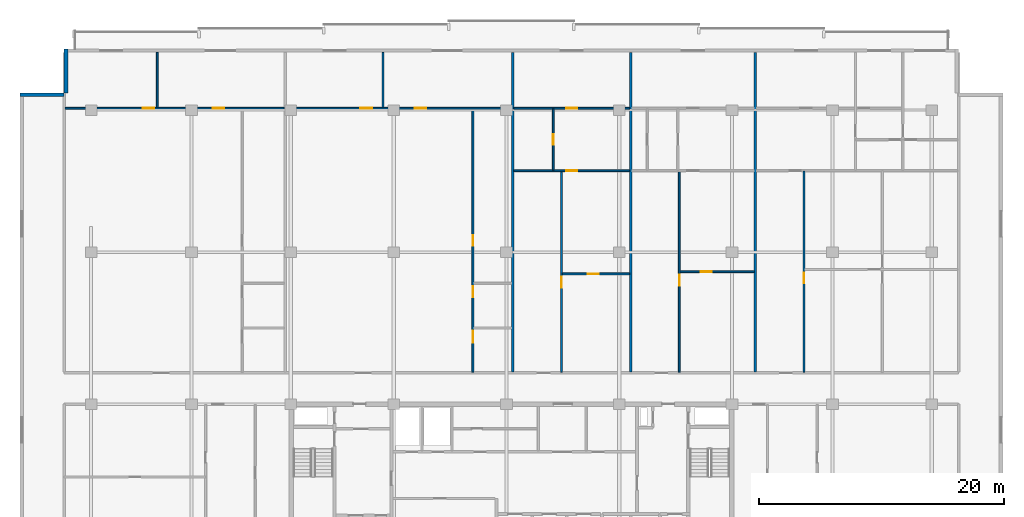
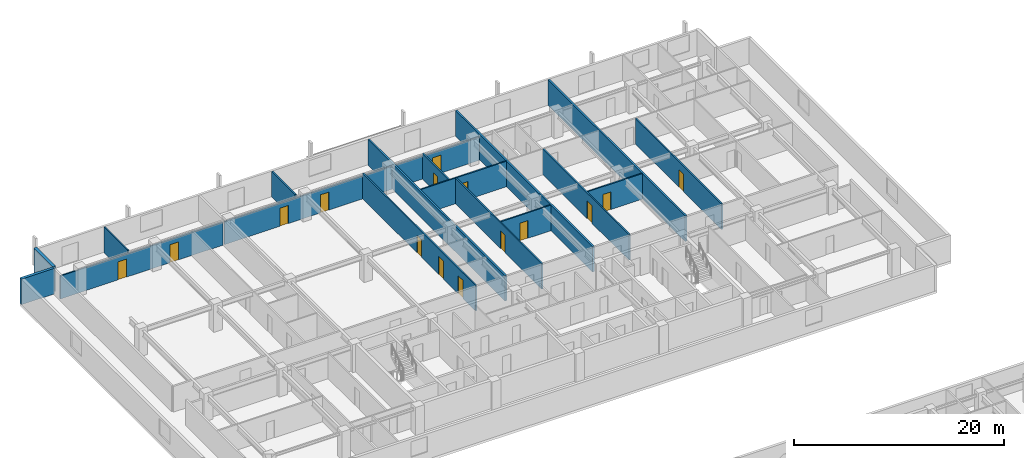
# One storey, part 13 of 21: 18 walls, 15 doors, 15 openings.
"""IFC4 building model written with IfcOpenShell, lengths in metres."""

from ifc_helpers import new_model, si_unit, direction, frame, frame_2d, origin, place, context, subcontext, project, spatial, rectangle, extrude, material, layer, layer_set, type_object, element, fill, save


model = new_model("IFC4")

# Units and contexts
model_context = context("Model", 3, precision=1e-05, world=origin(), true_north=direction((0.0, 1.0)))
body_context = subcontext(model_context, "Body", "Model", "MODEL_VIEW")
ifc_project = project(units=[si_unit("LENGTHUNIT", "METRE"), si_unit("AREAUNIT", "SQUARE_METRE"), si_unit("VOLUMEUNIT", "CUBIC_METRE"), si_unit("PLANEANGLEUNIT", "RADIAN"), si_unit("MASSUNIT", "GRAM", prefix="KILO")], contexts=[model_context])

# Site, building, storey
site_placement = place(None, origin())
site = spatial("IfcSite", under=ifc_project, at=site_placement, CompositionType="ELEMENT")
building_placement = place(site_placement, origin())
building = spatial("IfcBuilding", under=site, at=building_placement, Name="Korimba Cascade Residences", CompositionType="ELEMENT")
storey_placement = place(building_placement, frame((0.0, 0.0, 103.550048828125)))
storey = spatial("IfcBuildingStorey", under=building, at=storey_placement, Name="L29", CompositionType="ELEMENT", Elevation=103.550048828125)

# Walls
ifc_material_1 = material(Name="Precast concrete C40/50", Category="concrete")
ifc_layer_1 = layer(ifc_material_1, 0.300048828125)
ifc_layer_set_1 = layer_set([ifc_layer_1], Name="Precast concrete C40/50")
wall_type_1 = type_object("IfcWallType", Name="EW-STONE-300", PredefinedType="STANDARD", material=ifc_layer_set_1)
wall_1_placement = place(storey_placement, frame((57.75, 96.199951171875, 0.0), z_axis=(0.0, 0.0, 1.0), x_axis=(0.0, -1.0, 0.0)))
element("IfcWall", 1, at=wall_1_placement, inside=storey, type_object=wall_type_1, Name="L29 T1 Perimeter Stone Wall E07", PredefinedType="STANDARD", context=body_context, shape_type="SweptSolid", body=[
    extrude(rectangle(XDim=3.599853515625, YDim=0.300048828125, at=frame_2d((1.7998046875, 0.0))), origin(), (0.0, 0.0, 1.0), 2.969970703125),
])
wall_2_placement = place(storey_placement, frame((57.60009765625, 92.449951171875, 0.0), z_axis=(0.0, 0.0, 1.0), x_axis=(-1.0, 0.0, 0.0)))
element("IfcWall", 2, at=wall_2_placement, inside=storey, type_object=wall_type_1, Name="L29 T1 Perimeter Stone Wall E08", PredefinedType="STANDARD", context=body_context, shape_type="SweptSolid", body=[
    extrude(rectangle(XDim=3.60009765625, YDim=0.300048828125, at=frame_2d((1.800048828125, 0.0))), origin(), (0.0, 0.0, 1.0), 2.969970703125),
])
ifc_layer_2 = layer(ifc_material_1, 0.199951171875)
ifc_layer_set_2 = layer_set([ifc_layer_2], Name="Precast concrete C40/50")
wall_type_2 = type_object("IfcWallType", Name="WAL-IT-200", PredefinedType="PARTITIONING", material=ifc_layer_set_2)
for number, where, z_axis, x_axis, name in (
    (3, (94.22509765625, 69.830078125, 0.0), (0.0, 0.0, 1.0), (0.0, 1.0, 0.0), "L29 Partition Wall WAL-L29-T1-DEM-2"),
    (4, (103.833984375, 69.830078125, 0.0), (0.0, 0.0, 1.0), (0.0, 1.0, 0.0), "L29 Partition Wall WAL-L29-T1-DEM-3"),
    (5, (114.00390625, 69.830078125, 0.0), (0.0, 0.0, 1.0), (0.0, 1.0, 0.0), "L29 Partition Wall WAL-L29-T1-DEM-4"),
):
    element("IfcWall", number, at=place(storey_placement, frame(where, z_axis=z_axis, x_axis=x_axis)), inside=storey, type_object=wall_type_2, Name=name, PredefinedType="PARTITIONING", context=body_context, shape_type="SweptSolid", body=[
        extrude(rectangle(XDim=26.06982421875, YDim=0.199951171875, at=frame_2d((13.034912109375, 0.0))), origin(), (0.0, 0.0, 1.0), 2.969970703125),
    ])
ifc_material_2 = material(Name="Insulated Acoustic Stud Partition", Category="gypsum")
ifc_layer_3 = layer(ifc_material_2, 0.14990234375)
ifc_layer_set_3 = layer_set([ifc_layer_3], Name="Insulated Acoustic Stud Partition")
wall_type_3 = type_object("IfcWallType", Name="WAL-PART-150", PredefinedType="PARTITIONING", material=ifc_layer_set_3)
wall_3_placement = place(storey_placement, frame((65.196044921875, 91.429931640625, 0.0), z_axis=(0.0, 0.0, 1.0), x_axis=(0.0, 1.0, 0.0)))
element("IfcWall", 6, at=wall_3_placement, inside=storey, type_object=wall_type_3, Name="L29 Partition Wall WAL-L29-T1-U01-OUTV", PredefinedType="PARTITIONING", context=body_context, shape_type="SweptSolid", body=[
    extrude(rectangle(XDim=4.469970703125, YDim=0.14990234375, at=frame_2d((2.23486328125, 0.0))), origin(), (0.0, 0.0, 1.0), 2.969970703125),
])

# Wall, openings, doors
wall_4_placement = place(storey_placement, frame((57.679931640625, 91.35009765625, 0.0), z_axis=(0.0, 0.0, 1.0), x_axis=(1.0, 0.0, 0.0)))
wall_4 = element("IfcWall", 7, at=wall_4_placement, inside=storey, type_object=wall_type_3, Name="L29 Partition Wall WAL-L29-T1-U01-HZ", PredefinedType="PARTITIONING", context=body_context, shape_type="SweptSolid", body=[
    extrude(rectangle(XDim=17.8720703125, YDim=0.14990234375, at=frame_2d((8.93603515625, 0.0))), origin(), (0.0, 0.0, 1.0), 2.663330078125),
])
opening_1_placement = place(wall_4_placement, frame((6.325927734375, 0.0, 0.0)))
opening_1 = element("IfcOpeningElement", 8, at=opening_1_placement, cuts=wall_4, Name="Opening D-IN0", PredefinedType="OPENING", context=body_context, shape_type="SweptSolid", body=[
    extrude(rectangle(XDim=0.93994140625, YDim=2.10009765625, at=frame_2d((0.469970703125, 1.050048828125))), frame((0.0, 0.0849609375, 0.0), z_axis=(0.0, -1.0, 0.0), x_axis=(1.0, 0.0, 0.0)), (0.0, 0.0, 1.0), 0.169921875),
])
opening_2_placement = place(wall_4_placement, frame((12.052978515625, 0.0, 0.0)))
opening_2 = element("IfcOpeningElement", 9, at=opening_2_placement, cuts=wall_4, Name="Opening D-IN0", PredefinedType="OPENING", context=body_context, shape_type="SweptSolid", body=[
    extrude(rectangle(XDim=0.93994140625, YDim=2.10009765625, at=frame_2d((0.469970703125, 1.050048828125))), frame((0.0, 0.0849609375, 0.0), z_axis=(0.0, -1.0, 0.0), x_axis=(1.0, 0.0, 0.0)), (0.0, 0.0, 1.0), 0.169921875),
])
ifc_material_3 = material(Name="Acoustic Timber Living Archway Door", Category="wood")
door_type_1 = type_object("IfcDoorType", Name="DR-INT-950", OperationType="NOTDEFINED", PredefinedType="DOOR", material=ifc_material_3)
door_1_placement = place(opening_1_placement, origin())
door_1 = element("IfcDoor", 10, at=door_1_placement, inside=storey, type_object=door_type_1, Name="L29-T1-U01 Resident Boardroom Door", OperationType="SINGLE_SWING_RIGHT", OverallHeight=2.10009765625, OverallWidth=0.93994140625, PredefinedType="DOOR", context=body_context, shape_type="SweptSolid", body=[
    extrude(rectangle(XDim=0.93994140625, YDim=2.10009765625, at=frame_2d((0.469970703125, 1.050048828125))), frame((0.0, 0.02490234375, 0.0), z_axis=(0.0, -1.0, 0.0), x_axis=(1.0, 0.0, 0.0)), (0.0, 0.0, 1.0), 0.050048828125),
])
fill(opening_1, door_1)
door_2_placement = place(opening_2_placement, origin())
door_2 = element("IfcDoor", 11, at=door_2_placement, inside=storey, type_object=door_type_1, Name="L29-T1-U01 Executive Seminar Room Door", OperationType="SINGLE_SWING_LEFT", OverallHeight=2.10009765625, OverallWidth=0.93994140625, PredefinedType="DOOR", context=body_context, shape_type="SweptSolid", body=[
    extrude(rectangle(XDim=0.93994140625, YDim=2.10009765625, at=frame_2d((0.469970703125, 1.050048828125))), frame((0.0, 0.02490234375, 0.0), z_axis=(0.0, -1.0, 0.0), x_axis=(1.0, 0.0, 0.0)), (0.0, 0.0, 1.0), 0.050048828125),
])
fill(opening_2, door_2)

wall_5_placement = place(storey_placement, frame((90.955078125, 69.81005859375, 0.0), z_axis=(0.0, 0.0, 1.0), x_axis=(0.0, 1.0, 0.0)))
wall_5 = element("IfcWall", 12, at=wall_5_placement, inside=storey, type_object=wall_type_3, Name="L29 Partition Wall WAL-L29-T1-U02-WCV", PredefinedType="PARTITIONING", context=body_context, shape_type="SweptSolid", body=[
    extrude(rectangle(XDim=21.47998046875, YDim=0.14990234375, at=frame_2d((10.739990234375, 0.0))), origin(), (0.0, 0.0, 1.0), 2.969970703125),
])
opening_3_placement = place(wall_5_placement, frame((2.406005859375, 0.0, 0.0)))
opening_3 = element("IfcOpeningElement", 13, at=opening_3_placement, cuts=wall_5, Name="Opening D-AC1", PredefinedType="OPENING", context=body_context, shape_type="SweptSolid", body=[
    extrude(rectangle(XDim=0.9599609375, YDim=2.10009765625, at=frame_2d((0.47998046875, 1.050048828125))), frame((0.0, 0.0849609375, 0.0), z_axis=(0.0, -1.0, 0.0), x_axis=(1.0, 0.0, 0.0)), (0.0, 0.0, 1.0), 0.169921875),
])
opening_4_placement = place(wall_5_placement, frame((6.132568359375, 0.0, 0.0)))
opening_4 = element("IfcOpeningElement", 14, at=opening_4_placement, cuts=wall_5, Name="Opening D-IN2", PredefinedType="OPENING", context=body_context, shape_type="SweptSolid", body=[
    extrude(rectangle(XDim=0.8798828125, YDim=2.06005859375, at=frame_2d((0.43994140625, 1.030029296875))), frame((0.0, 0.0849609375, 0.0), z_axis=(0.0, -1.0, 0.0), x_axis=(1.0, 0.0, 0.0)), (0.0, 0.0, 1.0), 0.169921875),
])
opening_5_placement = place(wall_5_placement, frame((10.320068359375, 0.0, 0.0)))
opening_5 = element("IfcOpeningElement", 15, at=opening_5_placement, cuts=wall_5, Name="Opening D-BT1", PredefinedType="OPENING", context=body_context, shape_type="SweptSolid", body=[
    extrude(rectangle(XDim=0.840087890625, YDim=2.0400390625, at=frame_2d((0.419921875, 1.02001953125))), frame((0.0, 0.0849609375, 0.0), z_axis=(0.0, -1.0, 0.0), x_axis=(1.0, 0.0, 0.0)), (0.0, 0.0, 1.0), 0.169921875),
])
ifc_material_4 = material(Name="Accessible Acoustic Timber WC Door", Category="wood")
door_type_2 = type_object("IfcDoorType", Name="DR-ACC-950", OperationType="NOTDEFINED", PredefinedType="DOOR", material=ifc_material_4)
door_3_placement = place(opening_3_placement, origin())
door_3 = element("IfcDoor", 16, at=door_3_placement, inside=storey, type_object=door_type_2, Name="L29-T1-U02 Accessible WC Door", OperationType="SINGLE_SWING_RIGHT", OverallHeight=2.10009765625, OverallWidth=0.9599609375, PredefinedType="DOOR", context=body_context, shape_type="SweptSolid", body=[
    extrude(rectangle(XDim=0.9599609375, YDim=2.10009765625, at=frame_2d((0.47998046875, 1.050048828125))), frame((0.0, 0.02490234375, 0.0), z_axis=(0.0, -1.0, 0.0), x_axis=(1.0, 0.0, 0.0)), (0.0, 0.0, 1.0), 0.050048828125),
])
fill(opening_3, door_3)
ifc_material_5 = material(Name="Moisture-Resistant Bathroom Timber Door", Category="wood")
door_type_3 = type_object("IfcDoorType", Name="DR-INT-850", OperationType="NOTDEFINED", PredefinedType="DOOR", material=ifc_material_5)
door_4_placement = place(opening_5_placement, origin())
door_4 = element("IfcDoor", 17, at=door_4_placement, inside=storey, type_object=door_type_3, Name="L29-T1-U02 Suite Store Door", OperationType="SINGLE_SWING_RIGHT", OverallHeight=2.0400390625, OverallWidth=0.840087890625, PredefinedType="DOOR", context=body_context, shape_type="SweptSolid", body=[
    extrude(rectangle(XDim=0.840087890625, YDim=2.0400390625, at=frame_2d((0.419921875, 1.02001953125))), frame((0.0, 0.02490234375, 0.0), z_axis=(0.0, -1.0, 0.0), x_axis=(1.0, 0.0, 0.0)), (0.0, 0.0, 1.0), 0.050048828125),
])
fill(opening_5, door_4)
ifc_material_6 = material(Name="Acoustic Timber Bedroom Door", Category="wood")
door_type_4 = type_object("IfcDoorType", Name="DR-INT-880", OperationType="NOTDEFINED", PredefinedType="DOOR", material=ifc_material_6)
door_5_placement = place(opening_4_placement, origin())
door_5 = element("IfcDoor", 18, at=door_5_placement, inside=storey, type_object=door_type_4, Name="L29-T1-U02 Restroom WC Door", OperationType="SINGLE_SWING_LEFT", OverallHeight=2.06005859375, OverallWidth=0.8798828125, PredefinedType="DOOR", context=body_context, shape_type="SweptSolid", body=[
    extrude(rectangle(XDim=0.8798828125, YDim=2.06005859375, at=frame_2d((0.43994140625, 1.030029296875))), frame((0.0, 0.02490234375, 0.0), z_axis=(0.0, -1.0, 0.0), x_axis=(1.0, 0.0, 0.0)), (0.0, 0.0, 1.0), 0.050048828125),
])
fill(opening_4, door_5)

# Wall
wall_6_placement = place(storey_placement, frame((83.62353515625, 91.429931640625, 0.0), z_axis=(0.0, 0.0, 1.0), x_axis=(0.0, 1.0, 0.0)))
element("IfcWall", 19, at=wall_6_placement, inside=storey, type_object=wall_type_3, Name="L29 Partition Wall WAL-L29-T1-U02-OUTV", PredefinedType="PARTITIONING", context=body_context, shape_type="SweptSolid", body=[
    extrude(rectangle(XDim=4.469970703125, YDim=0.14990234375, at=frame_2d((2.23486328125, 0.0))), origin(), (0.0, 0.0, 1.0), 2.969970703125),
])

# Wall, openings, doors
wall_7_placement = place(storey_placement, frame((75.712158203125, 91.35009765625, 0.0), z_axis=(0.0, 0.0, 1.0), x_axis=(1.0, 0.0, 0.0)))
wall_7 = element("IfcWall", 20, at=wall_7_placement, inside=storey, type_object=wall_type_3, Name="L29 Partition Wall WAL-L29-T1-U02-HZ", PredefinedType="PARTITIONING", context=body_context, shape_type="SweptSolid", body=[
    extrude(rectangle(XDim=18.432861328125, YDim=0.14990234375, at=frame_2d((9.21630859375, 0.0))), origin(), (0.0, 0.0, 1.0), 2.663330078125),
])
opening_6_placement = place(wall_7_placement, frame((6.07421875, 0.0, 0.0)))
opening_6 = element("IfcOpeningElement", 21, at=opening_6_placement, cuts=wall_7, Name="Opening D-IN0", PredefinedType="OPENING", context=body_context, shape_type="SweptSolid", body=[
    extrude(rectangle(XDim=0.93994140625, YDim=2.10009765625, at=frame_2d((0.469970703125, 1.050048828125))), frame((0.0, 0.0849609375, 0.0), z_axis=(0.0, -1.0, 0.0), x_axis=(1.0, 0.0, 0.0)), (0.0, 0.0, 1.0), 0.169921875),
])
opening_7_placement = place(wall_7_placement, frame((10.51806640625, 0.0, 0.0)))
opening_7 = element("IfcOpeningElement", 22, at=opening_7_placement, cuts=wall_7, Name="Opening D-IN0", PredefinedType="OPENING", context=body_context, shape_type="SweptSolid", body=[
    extrude(rectangle(XDim=0.93994140625, YDim=2.10009765625, at=frame_2d((0.469970703125, 1.050048828125))), frame((0.0, 0.0849609375, 0.0), z_axis=(0.0, -1.0, 0.0), x_axis=(1.0, 0.0, 0.0)), (0.0, 0.0, 1.0), 0.169921875),
])
door_6_placement = place(opening_6_placement, origin())
door_6 = element("IfcDoor", 23, at=door_6_placement, inside=storey, type_object=door_type_1, Name="L29-T1-U02 Resident Boardroom Door", OperationType="SINGLE_SWING_LEFT", OverallHeight=2.10009765625, OverallWidth=0.93994140625, PredefinedType="DOOR", context=body_context, shape_type="SweptSolid", body=[
    extrude(rectangle(XDim=0.93994140625, YDim=2.10009765625, at=frame_2d((0.469970703125, 1.050048828125))), frame((0.0, 0.02490234375, 0.0), z_axis=(0.0, -1.0, 0.0), x_axis=(1.0, 0.0, 0.0)), (0.0, 0.0, 1.0), 0.050048828125),
])
fill(opening_6, door_6)
door_7_placement = place(opening_7_placement, origin())
door_7 = element("IfcDoor", 24, at=door_7_placement, inside=storey, type_object=door_type_1, Name="L29-T1-U02 Executive Seminar Room Door", OperationType="SINGLE_SWING_RIGHT", OverallHeight=2.10009765625, OverallWidth=0.93994140625, PredefinedType="DOOR", context=body_context, shape_type="SweptSolid", body=[
    extrude(rectangle(XDim=0.93994140625, YDim=2.10009765625, at=frame_2d((0.469970703125, 1.050048828125))), frame((0.0, 0.02490234375, 0.0), z_axis=(0.0, -1.0, 0.0), x_axis=(1.0, 0.0, 0.0)), (0.0, 0.0, 1.0), 0.050048828125),
])
fill(opening_7, door_7)

# Wall, opening, door
wall_8_placement = place(storey_placement, frame((98.2548828125, 77.830078125, 0.0), z_axis=(0.0, 0.0, 1.0), x_axis=(1.0, 0.0, 0.0)))
wall_8 = element("IfcWall", 25, at=wall_8_placement, inside=storey, type_object=wall_type_3, Name="L29 Partition Wall WAL-L29-T1-U03-FMH", PredefinedType="PARTITIONING", context=body_context, shape_type="SweptSolid", body=[
    extrude(rectangle(XDim=5.4990234375, YDim=0.14990234375, at=frame_2d((2.74951171875, 0.0))), origin(), (0.0, 0.0, 1.0), 2.969970703125),
])
opening_8_placement = place(wall_8_placement, frame((2.074462890625, 0.0, 0.0)))
opening_8 = element("IfcOpeningElement", 26, at=opening_8_placement, cuts=wall_8, Name="Opening D-IN2", PredefinedType="OPENING", context=body_context, shape_type="SweptSolid", body=[
    extrude(rectangle(XDim=0.8798828125, YDim=2.06005859375, at=frame_2d((0.43994140625, 1.030029296875))), frame((0.0, 0.0849609375, 0.0), z_axis=(0.0, -1.0, 0.0), x_axis=(1.0, 0.0, 0.0)), (0.0, 0.0, 1.0), 0.169921875),
])
door_8_placement = place(opening_8_placement, origin())
door_8 = element("IfcDoor", 27, at=door_8_placement, inside=storey, type_object=door_type_4, Name="L29-T1-U03 Library Salon Door", OperationType="SINGLE_SWING_LEFT", OverallHeight=2.06005859375, OverallWidth=0.8798828125, PredefinedType="DOOR", context=body_context, shape_type="SweptSolid", body=[
    extrude(rectangle(XDim=0.8798828125, YDim=2.06005859375, at=frame_2d((0.43994140625, 1.030029296875))), frame((0.0, 0.02490234375, 0.0), z_axis=(0.0, -1.0, 0.0), x_axis=(1.0, 0.0, 0.0)), (0.0, 0.0, 1.0), 0.050048828125),
])
fill(opening_8, door_8)

wall_9_placement = place(storey_placement, frame((98.195068359375, 69.81005859375, 0.0), z_axis=(0.0, 0.0, 1.0), x_axis=(0.0, 1.0, 0.0)))
wall_9 = element("IfcWall", 28, at=wall_9_placement, inside=storey, type_object=wall_type_3, Name="L29 Partition Wall WAL-L29-T1-U03-FV", PredefinedType="PARTITIONING", context=body_context, shape_type="SweptSolid", body=[
    extrude(rectangle(XDim=16.39990234375, YDim=0.14990234375, at=frame_2d((8.199951171875, 0.0))), origin(), (0.0, 0.0, 1.0), 2.969970703125),
])
opening_9_placement = place(wall_9_placement, frame((6.889892578125, 0.0, 0.0)))
opening_9 = element("IfcOpeningElement", 29, at=opening_9_placement, cuts=wall_9, Name="Opening D-IN2", PredefinedType="OPENING", context=body_context, shape_type="SweptSolid", body=[
    extrude(rectangle(XDim=0.8798828125, YDim=2.06005859375, at=frame_2d((0.43994140625, 1.030029296875))), frame((0.0, 0.0849609375, 0.0), z_axis=(0.0, -1.0, 0.0), x_axis=(1.0, 0.0, 0.0)), (0.0, 0.0, 1.0), 0.169921875),
])
door_9_placement = place(opening_9_placement, origin())
door_9 = element("IfcDoor", 30, at=door_9_placement, inside=storey, type_object=door_type_4, Name="L29-T1-U03 Media Lounge Door", OperationType="SINGLE_SWING_RIGHT", OverallHeight=2.06005859375, OverallWidth=0.8798828125, PredefinedType="DOOR", context=body_context, shape_type="SweptSolid", body=[
    extrude(rectangle(XDim=0.8798828125, YDim=2.06005859375, at=frame_2d((0.43994140625, 1.030029296875))), frame((0.0, 0.02490234375, 0.0), z_axis=(0.0, -1.0, 0.0), x_axis=(1.0, 0.0, 0.0)), (0.0, 0.0, 1.0), 0.050048828125),
])
fill(opening_9, door_9)

wall_10_placement = place(storey_placement, frame((97.513916015625, 86.2900390625, 0.0), z_axis=(0.0, 0.0, 1.0), x_axis=(0.0, 1.0, 0.0)))
wall_10 = element("IfcWall", 31, at=wall_10_placement, inside=storey, type_object=wall_type_3, Name="L29 Partition Wall WAL-L29-T1-U03-BM", PredefinedType="PARTITIONING", context=body_context, shape_type="SweptSolid", body=[
    extrude(rectangle(XDim=5.0, YDim=0.14990234375, at=frame_2d((2.5, 0.0))), origin(), (0.0, 0.0, 1.0), 2.969970703125),
])
opening_10_placement = place(wall_10_placement, frame((2.080078125, 0.0, 0.0)))
opening_10 = element("IfcOpeningElement", 32, at=opening_10_placement, cuts=wall_10, Name="Opening D-BT1", PredefinedType="OPENING", context=body_context, shape_type="SweptSolid", body=[
    extrude(rectangle(XDim=0.840087890625, YDim=2.0400390625, at=frame_2d((0.419921875, 1.02001953125))), frame((0.0, 0.0849609375, 0.0), z_axis=(0.0, -1.0, 0.0), x_axis=(1.0, 0.0, 0.0)), (0.0, 0.0, 1.0), 0.169921875),
])
door_10_placement = place(opening_10_placement, origin())
door_10 = element("IfcDoor", 33, at=door_10_placement, inside=storey, type_object=door_type_3, Name="L29-T1-U03 Bathroom Door", OperationType="SINGLE_SWING_LEFT", OverallHeight=2.0400390625, OverallWidth=0.840087890625, PredefinedType="DOOR", context=body_context, shape_type="SweptSolid", body=[
    extrude(rectangle(XDim=0.840087890625, YDim=2.0400390625, at=frame_2d((0.419921875, 1.02001953125))), frame((0.0, 0.02490234375, 0.0), z_axis=(0.0, -1.0, 0.0), x_axis=(1.0, 0.0, 0.0)), (0.0, 0.0, 1.0), 0.050048828125),
])
fill(opening_10, door_10)

wall_11_placement = place(storey_placement, frame((94.304931640625, 86.25, 0.0), z_axis=(0.0, 0.0, 1.0), x_axis=(1.0, 0.0, 0.0)))
wall_11 = element("IfcWall", 34, at=wall_11_placement, inside=storey, type_object=wall_type_3, Name="L29 Partition Wall WAL-L29-T1-U03-MW", PredefinedType="PARTITIONING", context=body_context, shape_type="SweptSolid", body=[
    extrude(rectangle(XDim=9.448974609375, YDim=0.14990234375, at=frame_2d((4.724609375, 0.0))), origin(), (0.0, 0.0, 1.0), 2.969970703125),
])
opening_11_placement = place(wall_11_placement, frame((4.264404296875, 0.0, 0.0)))
opening_11 = element("IfcOpeningElement", 35, at=opening_11_placement, cuts=wall_11, Name="Opening D-IN1", PredefinedType="OPENING", context=body_context, shape_type="SweptSolid", body=[
    extrude(rectangle(XDim=0.919921875, YDim=2.080078125, at=frame_2d((0.4599609375, 1.0400390625))), frame((0.0, 0.0849609375, 0.0), z_axis=(0.0, -1.0, 0.0), x_axis=(1.0, 0.0, 0.0)), (0.0, 0.0, 1.0), 0.169921875),
])
ifc_material_7 = material(Name="Acoustic Timber Living Door", Category="wood")
door_type_5 = type_object("IfcDoorType", Name="DR-INT-920", OperationType="NOTDEFINED", PredefinedType="DOOR", material=ifc_material_7)
door_11_placement = place(opening_11_placement, origin())
door_11 = element("IfcDoor", 36, at=door_11_placement, inside=storey, type_object=door_type_5, Name="L29-T1-U03 Studio Kitchen Door", OperationType="SINGLE_SWING_RIGHT", OverallHeight=2.080078125, OverallWidth=0.919921875, PredefinedType="DOOR", context=body_context, shape_type="SweptSolid", body=[
    extrude(rectangle(XDim=0.919921875, YDim=2.080078125, at=frame_2d((0.4599609375, 1.0400390625))), frame((0.0, 0.02490234375, 0.0), z_axis=(0.0, -1.0, 0.0), x_axis=(1.0, 0.0, 0.0)), (0.0, 0.0, 1.0), 0.050048828125),
])
fill(opening_11, door_11)

wall_12_placement = place(storey_placement, frame((94.304931640625, 91.35009765625, 0.0), z_axis=(0.0, 0.0, 1.0), x_axis=(1.0, 0.0, 0.0)))
wall_12 = element("IfcWall", 37, at=wall_12_placement, inside=storey, type_object=wall_type_3, Name="L29 Partition Wall WAL-L29-T1-U03-HZ", PredefinedType="PARTITIONING", context=body_context, shape_type="SweptSolid", body=[
    extrude(rectangle(XDim=9.448974609375, YDim=0.14990234375, at=frame_2d((4.724609375, 0.0))), origin(), (0.0, 0.0, 1.0), 2.663330078125),
])
opening_12_placement = place(wall_12_placement, frame((4.264404296875, 0.0, 0.0)))
opening_12 = element("IfcOpeningElement", 38, at=opening_12_placement, cuts=wall_12, Name="Opening D-IN1", PredefinedType="OPENING", context=body_context, shape_type="SweptSolid", body=[
    extrude(rectangle(XDim=0.919921875, YDim=2.080078125, at=frame_2d((0.4599609375, 1.0400390625))), frame((0.0, 0.0849609375, 0.0), z_axis=(0.0, -1.0, 0.0), x_axis=(1.0, 0.0, 0.0)), (0.0, 0.0, 1.0), 0.169921875),
])
door_12_placement = place(opening_12_placement, origin())
door_12 = element("IfcDoor", 39, at=door_12_placement, inside=storey, type_object=door_type_5, Name="L29-T1-U03 Studio Door", OperationType="SINGLE_SWING_LEFT", OverallHeight=2.080078125, OverallWidth=0.919921875, PredefinedType="DOOR", context=body_context, shape_type="SweptSolid", body=[
    extrude(rectangle(XDim=0.919921875, YDim=2.080078125, at=frame_2d((0.4599609375, 1.0400390625))), frame((0.0, 0.02490234375, 0.0), z_axis=(0.0, -1.0, 0.0), x_axis=(1.0, 0.0, 0.0)), (0.0, 0.0, 1.0), 0.050048828125),
])
fill(opening_12, door_12)

wall_13_placement = place(storey_placement, frame((107.864013671875, 78.010009765625, 0.0), z_axis=(0.0, 0.0, 1.0), x_axis=(1.0, 0.0, 0.0)))
wall_13 = element("IfcWall", 40, at=wall_13_placement, inside=storey, type_object=wall_type_3, Name="L29 Partition Wall WAL-L29-T1-U04-FMH", PredefinedType="PARTITIONING", context=body_context, shape_type="SweptSolid", body=[
    extrude(rectangle(XDim=6.059814453125, YDim=0.14990234375, at=frame_2d((3.02978515625, 0.0))), origin(), (0.0, 0.0, 1.0), 2.969970703125),
])
opening_13_placement = place(wall_13_placement, frame((1.694091796875, 0.0, 0.0)))
opening_13 = element("IfcOpeningElement", 41, at=opening_13_placement, cuts=wall_13, Name="Opening D-IN2", PredefinedType="OPENING", context=body_context, shape_type="SweptSolid", body=[
    extrude(rectangle(XDim=0.8798828125, YDim=2.06005859375, at=frame_2d((0.43994140625, 1.030029296875))), frame((0.0, 0.0849609375, 0.0), z_axis=(0.0, -1.0, 0.0), x_axis=(1.0, 0.0, 0.0)), (0.0, 0.0, 1.0), 0.169921875),
])
door_13_placement = place(opening_13_placement, origin())
door_13 = element("IfcDoor", 42, at=door_13_placement, inside=storey, type_object=door_type_4, Name="L29-T1-U04 Library Salon Door", OperationType="SINGLE_SWING_RIGHT", OverallHeight=2.06005859375, OverallWidth=0.8798828125, PredefinedType="DOOR", context=body_context, shape_type="SweptSolid", body=[
    extrude(rectangle(XDim=0.8798828125, YDim=2.06005859375, at=frame_2d((0.43994140625, 1.030029296875))), frame((0.0, 0.02490234375, 0.0), z_axis=(0.0, -1.0, 0.0), x_axis=(1.0, 0.0, 0.0)), (0.0, 0.0, 1.0), 0.050048828125),
])
fill(opening_13, door_13)

wall_14_placement = place(storey_placement, frame((107.803955078125, 69.81005859375, 0.0), z_axis=(0.0, 0.0, 1.0), x_axis=(0.0, 1.0, 0.0)))
wall_14 = element("IfcWall", 43, at=wall_14_placement, inside=storey, type_object=wall_type_3, Name="L29 Partition Wall WAL-L29-T1-U04-FV", PredefinedType="PARTITIONING", context=body_context, shape_type="SweptSolid", body=[
    extrude(rectangle(XDim=16.39990234375, YDim=0.14990234375, at=frame_2d((8.199951171875, 0.0))), origin(), (0.0, 0.0, 1.0), 2.969970703125),
])
opening_14_placement = place(wall_14_placement, frame((7.070068359375, 0.0, 0.0)))
opening_14 = element("IfcOpeningElement", 44, at=opening_14_placement, cuts=wall_14, Name="Opening D-IN2", PredefinedType="OPENING", context=body_context, shape_type="SweptSolid", body=[
    extrude(rectangle(XDim=0.8798828125, YDim=2.06005859375, at=frame_2d((0.43994140625, 1.030029296875))), frame((0.0, 0.0849609375, 0.0), z_axis=(0.0, -1.0, 0.0), x_axis=(1.0, 0.0, 0.0)), (0.0, 0.0, 1.0), 0.169921875),
])
door_14_placement = place(opening_14_placement, origin())
door_14 = element("IfcDoor", 45, at=door_14_placement, inside=storey, type_object=door_type_4, Name="L29-T1-U04 Media Lounge Door", OperationType="SINGLE_SWING_LEFT", OverallHeight=2.06005859375, OverallWidth=0.8798828125, PredefinedType="DOOR", context=body_context, shape_type="SweptSolid", body=[
    extrude(rectangle(XDim=0.8798828125, YDim=2.06005859375, at=frame_2d((0.43994140625, 1.030029296875))), frame((0.0, 0.02490234375, 0.0), z_axis=(0.0, -1.0, 0.0), x_axis=(1.0, 0.0, 0.0)), (0.0, 0.0, 1.0), 0.050048828125),
])
fill(opening_14, door_14)

wall_15_placement = place(storey_placement, frame((117.973876953125, 69.81005859375, 0.0), z_axis=(0.0, 0.0, 1.0), x_axis=(0.0, 1.0, 0.0)))
wall_15 = element("IfcWall", 46, at=wall_15_placement, inside=storey, type_object=wall_type_3, Name="L29 Partition Wall WAL-L29-T1-U05-FV", PredefinedType="PARTITIONING", context=body_context, shape_type="SweptSolid", body=[
    extrude(rectangle(XDim=16.39990234375, YDim=0.14990234375, at=frame_2d((8.199951171875, 0.0))), origin(), (0.0, 0.0, 1.0), 2.969970703125),
])
opening_15_placement = place(wall_15_placement, frame((7.25, 0.0, 0.0)))
opening_15 = element("IfcOpeningElement", 47, at=opening_15_placement, cuts=wall_15, Name="Opening D-IN2", PredefinedType="OPENING", context=body_context, shape_type="SweptSolid", body=[
    extrude(rectangle(XDim=0.8798828125, YDim=2.06005859375, at=frame_2d((0.43994140625, 1.030029296875))), frame((0.0, 0.0849609375, 0.0), z_axis=(0.0, -1.0, 0.0), x_axis=(1.0, 0.0, 0.0)), (0.0, 0.0, 1.0), 0.169921875),
])
door_15_placement = place(opening_15_placement, origin())
door_15 = element("IfcDoor", 48, at=door_15_placement, inside=storey, type_object=door_type_4, Name="L29-T1-U05 Media Lounge Door", OperationType="SINGLE_SWING_LEFT", OverallHeight=2.06005859375, OverallWidth=0.8798828125, PredefinedType="DOOR", context=body_context, shape_type="SweptSolid", body=[
    extrude(rectangle(XDim=0.8798828125, YDim=2.06005859375, at=frame_2d((0.43994140625, 1.030029296875))), frame((0.0, 0.02490234375, 0.0), z_axis=(0.0, -1.0, 0.0), x_axis=(1.0, 0.0, 0.0)), (0.0, 0.0, 1.0), 0.050048828125),
])
fill(opening_15, door_15)

save(model, "model.ifc")
